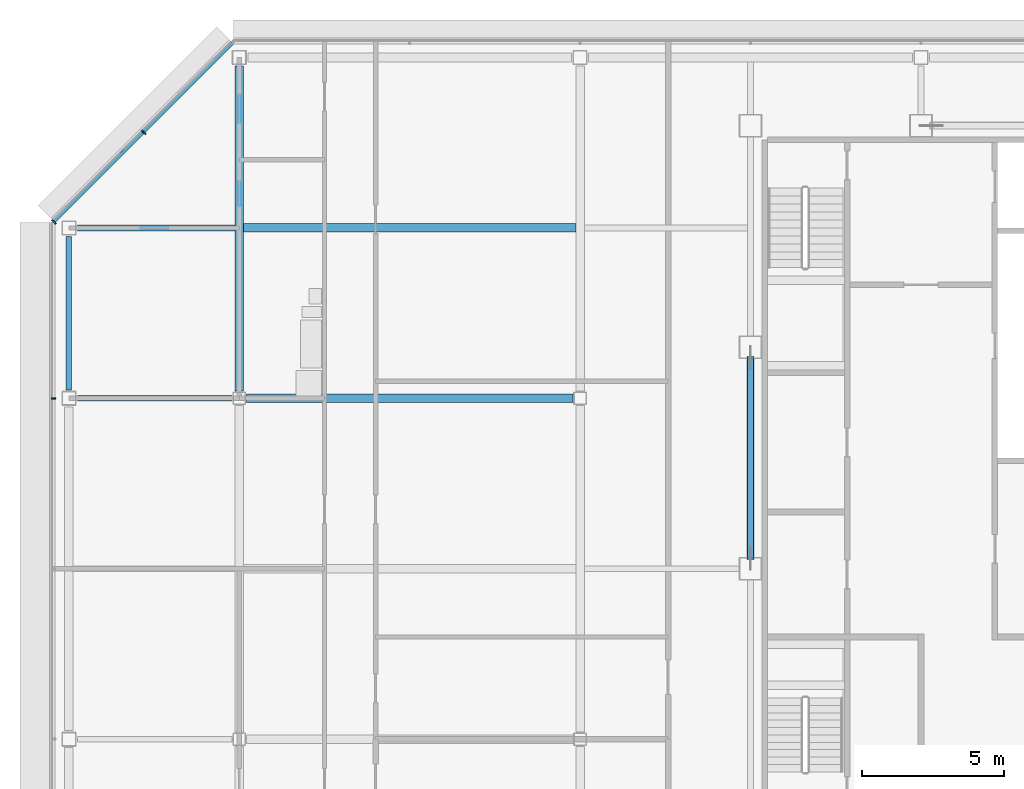
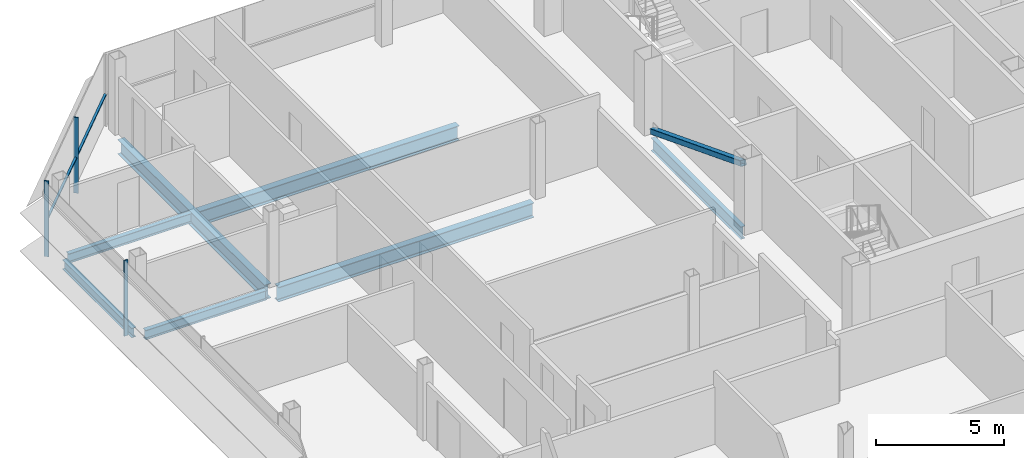
# One storey, part 13 of 28: 7 beams, 5 members, 2 elements without a shape of their own.
"""IFC4 building model written with IfcOpenShell, lengths in metres."""

from ifc_helpers import new_model, si_unit, direction, frame, origin, origin_2d, place, context, subcontext, project, spatial, rectangle, hollow_rectangle, i_section, extrude, material, material_profile, profile_set, type_object, element, aggregate, save


model = new_model("IFC4")

# Units and contexts
model_context = context("Model", 3, precision=1e-05, world=origin(), true_north=direction((0.0, 1.0)))
body_context = subcontext(model_context, "Body", "Model", "MODEL_VIEW")
ifc_project = project(units=[si_unit("LENGTHUNIT", "METRE"), si_unit("AREAUNIT", "SQUARE_METRE"), si_unit("VOLUMEUNIT", "CUBIC_METRE"), si_unit("PLANEANGLEUNIT", "RADIAN"), si_unit("MASSUNIT", "GRAM", prefix="KILO")], contexts=[model_context])

# Site, building, storey
site_placement = place(None, origin())
site = spatial("IfcSite", under=ifc_project, at=site_placement, CompositionType="ELEMENT")
building_placement = place(site_placement, origin())
building = spatial("IfcBuilding", under=site, at=building_placement, Name="Sorahane Residences", CompositionType="ELEMENT")
storey_placement = place(building_placement, frame((0.0, 0.0, 301.60009765625)))
storey = spatial("IfcBuildingStorey", under=building, at=storey_placement, Name="L71", CompositionType="ELEMENT", Elevation=301.60009765625)

# Member
ifc_material_1 = material(Name="Steel Q355B", Category="steel")
ifc_material_profile_1 = material_profile(ifc_material_1, hollow_rectangle(XDim=0.25, YDim=0.25, WallThickness=0.011962890625, InnerFilletRadius=0.006103515625, OuterFilletRadius=0.01806640625, at=origin_2d()), Name="RHS 250x250x12")
ifc_profile_set_1 = profile_set([ifc_material_profile_1], Name="Steel Q355B")
member_type_1 = type_object("IfcMemberType", Name="Core brace RHS 250x250x12 Q355B", PredefinedType="BRACE", material=ifc_profile_set_1)
member_1_placement = place(storey_placement, frame((6.0, 37.42724609375, 0.1142578125), z_axis=(0.0, -0.932102104456, 0.362195619617), x_axis=(1.0, 0.0, 0.0)))
element("IfcMember", 1, at=member_1_placement, inside=storey, type_object=member_type_1, Name="Core brace L71 x6-2", PredefinedType="BRACE", context=body_context, shape_type="SweptSolid", body=[
    extrude(hollow_rectangle(XDim=0.25, YDim=0.25, WallThickness=0.011962890625, InnerFilletRadius=0.006103515625, OuterFilletRadius=0.01806640625, at=origin_2d()), origin(), (0.0, 0.0, 1.0), 7.568359375),
])

# Curtain wall, member
ifc_material_2 = material(Name="Dark low-e glass and black anodised aluminium", Category="aluminium")
curtain_wall_type_1 = type_object("IfcCurtainWallType", Name="Curtain wall CW-1 Typical unitised wall", PredefinedType="NOTDEFINED", material=ifc_material_2)
curtain_wall_1_placement = place(storey_placement, origin())
curtain_wall_1 = element("IfcCurtainWall", 2, at=curtain_wall_1_placement, inside=storey, type_object=curtain_wall_type_1, Name="CW-1 curtain wall L71 W1", PredefinedType="NOTDEFINED")
ifc_material_3 = material(Name="Black anodised aluminium", Category="aluminium")
ifc_material_profile_2 = material_profile(ifc_material_3, rectangle(XDim=0.159912109375, YDim=0.050048828125, at=origin_2d()), Name="Curtain wall mullion CW-1 black anodised aluminium 50x160")
ifc_profile_set_2 = profile_set([ifc_material_profile_2], Name="Black anodised aluminium")
member_type_2 = type_object("IfcMemberType", Name="Curtain wall mullion CW-1 black anodised aluminium 50x160", PredefinedType="MULLION", material=ifc_profile_set_2)
member_2_placement = place(storey_placement, frame((-18.5400390625, 36.0, -0.18017578125), z_axis=(0.0, 0.0, 1.0), x_axis=(-1.0, 0.0, 0.0)))
member_2 = element("IfcMember", 3, at=member_2_placement, type_object=member_type_2, Name="CW-1 mullion L71 W1.2", PredefinedType="MULLION", context=body_context, shape_type="SweptSolid", body=[
    extrude(rectangle(XDim=0.159912109375, YDim=0.050048828125, at=origin_2d()), origin(), (0.0, 0.0, 1.0), 3.60009765625),
])
aggregate(curtain_wall_1, [member_2])

# Curtain wall, members
ifc_material_4 = material(Name="Dark low-e glass and black anodised aluminium", Category="aluminium")
curtain_wall_type_2 = type_object("IfcCurtainWallType", Name="Curtain wall CW-2 Chamfer unitised wall", PredefinedType="NOTDEFINED", material=ifc_material_4)
curtain_wall_2_placement = place(storey_placement, origin())
curtain_wall_2 = element("IfcCurtainWall", 4, at=curtain_wall_2_placement, inside=storey, type_object=curtain_wall_type_2, Name="CW-2 curtain wall L71 NW1", PredefinedType="NOTDEFINED")
ifc_material_5 = material(Name="Black anodised aluminium", Category="aluminium")
ifc_material_profile_3 = material_profile(ifc_material_5, rectangle(XDim=0.199951171875, YDim=0.050048828125, at=origin_2d()), Name="Curtain wall mullion CW-2 black anodised aluminium 50x200")
ifc_profile_set_3 = profile_set([ifc_material_profile_3], Name="Black anodised aluminium")
member_type_3 = type_object("IfcMemberType", Name="Curtain wall mullion CW-2 black anodised aluminium 50x200", PredefinedType="MULLION", material=ifc_profile_set_3)
member_3_placement = place(storey_placement, frame((-15.36767578125, 45.36767578125, -0.18017578125), z_axis=(0.0, 0.0, 1.0), x_axis=(-0.707106781187, 0.707106781187, 0.0)))
member_3 = element("IfcMember", 5, at=member_3_placement, type_object=member_type_3, Name="CW-2 mullion L71 NW1.2", PredefinedType="MULLION", context=body_context, shape_type="SweptSolid", body=[
    extrude(rectangle(XDim=0.199951171875, YDim=0.050048828125, at=origin_2d()), origin(), (0.0, 0.0, 1.0), 3.60009765625),
])
member_4_placement = place(storey_placement, frame((-18.525634765625, 42.209716796875, -0.18017578125), z_axis=(0.0, 0.0, 1.0), x_axis=(-0.707106781187, 0.707106781187, 0.0)))
member_4 = element("IfcMember", 6, at=member_4_placement, type_object=member_type_3, Name="CW-2 mullion L71 NW1.3", PredefinedType="MULLION", context=body_context, shape_type="SweptSolid", body=[
    extrude(rectangle(XDim=0.199951171875, YDim=0.050048828125, at=origin_2d()), origin(), (0.0, 0.0, 1.0), 3.60009765625),
])
ifc_material_6 = material(Name="Black anodised aluminium", Category="aluminium")
ifc_material_profile_4 = material_profile(ifc_material_6, rectangle(XDim=0.10009765625, YDim=0.06005859375, at=origin_2d()), Name="Curtain wall transom CW-2 black anodised aluminium 60x100")
ifc_profile_set_4 = profile_set([ifc_material_profile_4], Name="Black anodised aluminium")
member_type_4 = type_object("IfcMemberType", Name="Curtain wall transom CW-2 black anodised aluminium 60x100", PredefinedType="USERDEFINED", material=ifc_profile_set_4)
member_5_placement = place(storey_placement, frame((-12.234375, 48.51513671875, 1.5), z_axis=(-0.707106781187, -0.707106781187, 0.0), x_axis=(0.707106781187, -0.707106781187, 0.0)))
member_5 = element("IfcMember", 7, at=member_5_placement, type_object=member_type_4, Name="CW-2 transom L71 NW1", ObjectType="TRANSOM", PredefinedType="USERDEFINED", context=body_context, shape_type="SweptSolid", body=[
    extrude(rectangle(XDim=0.10009765625, YDim=0.06005859375, at=origin_2d()), origin(), (0.0, 0.0, 1.0), 8.88232421875),
])
aggregate(curtain_wall_2, [member_3, member_4, member_5])

# Beams
ifc_material_7 = material(Name="Steel Q355B", Category="steel")
ifc_material_profile_5 = material_profile(ifc_material_7, i_section(OverallWidth=0.199951171875, OverallDepth=0.449951171875, WebThickness=0.009033203125, FlangeThickness=0.013916015625, FilletRadius=0.02001953125, at=origin_2d()), Name="HN 450x200x9x14")
ifc_profile_set_5 = profile_set([ifc_material_profile_5], Name="Steel Q355B")
beam_type_1 = type_object("IfcBeamType", Name="Steel floor beam HN 450x200x9x14 Q355B", PredefinedType="BEAM", material=ifc_profile_set_5)
beam_1_placement = place(storey_placement, frame((-17.699951171875, 36.0, -0.405029296875), z_axis=(1.0, 0.0, 0.0), x_axis=(0.0, 1.0, 0.0)))
element("IfcBeam", 8, at=beam_1_placement, inside=storey, type_object=beam_type_1, Name="Beam L71 013", PredefinedType="BEAM", context=body_context, shape_type="SweptSolid", body=[
    extrude(i_section(OverallWidth=0.199951171875, OverallDepth=0.449951171875, WebThickness=0.009033203125, FlangeThickness=0.013916015625, FilletRadius=0.02001953125, at=origin_2d()), origin(), (0.0, 0.0, 1.0), 5.449951171875),
])
beam_2_placement = place(storey_placement, frame((-18.0, 36.300048828125, -0.405029296875), z_axis=(0.0, 1.0, 0.0), x_axis=(-1.0, 0.0, 0.0)))
element("IfcBeam", 9, at=beam_2_placement, inside=storey, type_object=beam_type_1, Name="Beam L71 023", PredefinedType="BEAM", context=body_context, shape_type="SweptSolid", body=[
    extrude(i_section(OverallWidth=0.199951171875, OverallDepth=0.449951171875, WebThickness=0.009033203125, FlangeThickness=0.013916015625, FilletRadius=0.02001953125, at=origin_2d()), origin(), (0.0, 0.0, 1.0), 5.39990234375),
])
beam_3_placement = place(storey_placement, frame((-17.699951171875, 42.0, -0.405029296875), z_axis=(1.0, 0.0, 0.0), x_axis=(0.0, 1.0, 0.0)))
element("IfcBeam", 10, at=beam_3_placement, inside=storey, type_object=beam_type_1, Name="Beam L71 087", PredefinedType="BEAM", context=body_context, shape_type="SweptSolid", body=[
    extrude(i_section(OverallWidth=0.199951171875, OverallDepth=0.449951171875, WebThickness=0.009033203125, FlangeThickness=0.013916015625, FilletRadius=0.02001953125, at=origin_2d()), origin(), (0.0, 0.0, 1.0), 5.550048828125),
])
ifc_material_8 = material(Name="Steel Q355B", Category="steel")
ifc_material_profile_6 = material_profile(ifc_material_8, i_section(OverallWidth=0.199951171875, OverallDepth=0.60009765625, WebThickness=0.010986328125, FlangeThickness=0.01708984375, FilletRadius=0.02392578125, at=origin_2d()), Name="HN 600x200x11x17")
ifc_profile_set_6 = profile_set([ifc_material_profile_6], Name="Steel Q355B")
beam_type_2 = type_object("IfcBeamType", Name="Steel floor beam HN 600x200x11x17 Q355B", PredefinedType="BEAM", material=ifc_profile_set_6)
beam_4_placement = place(storey_placement, frame((6.0, 30.39990234375, -0.47998046875), z_axis=(0.0, 1.0, 0.0), x_axis=(-1.0, 0.0, 0.0)))
element("IfcBeam", 11, at=beam_4_placement, inside=storey, type_object=beam_type_2, Name="Beam L71 035", PredefinedType="BEAM", context=body_context, shape_type="SweptSolid", body=[
    extrude(i_section(OverallWidth=0.199951171875, OverallDepth=0.60009765625, WebThickness=0.010986328125, FlangeThickness=0.01708984375, FilletRadius=0.02392578125, at=origin_2d()), origin(), (0.0, 0.0, 1.0), 7.0),
])
ifc_material_9 = material(Name="Steel Q355B", Category="steel")
ifc_material_profile_7 = material_profile(ifc_material_9, i_section(OverallWidth=0.300048828125, OverallDepth=0.699951171875, WebThickness=0.012939453125, FlangeThickness=0.02392578125, FilletRadius=0.028076171875, at=origin_2d()), Name="HN 700x300x13x24")
ifc_profile_set_7 = profile_set([ifc_material_profile_7], Name="Steel Q355B")
beam_type_3 = type_object("IfcBeamType", Name="Steel floor beam HN 700x300x13x24 Q355B", PredefinedType="BEAM", material=ifc_profile_set_7)
beam_5_placement = place(storey_placement, frame((-11.75, 36.0, -0.530029296875), z_axis=(1.0, 0.0, 0.0), x_axis=(0.0, 1.0, 0.0)))
element("IfcBeam", 12, at=beam_5_placement, inside=storey, type_object=beam_type_3, Name="Beam L71 014", PredefinedType="BEAM", context=body_context, shape_type="SweptSolid", body=[
    extrude(i_section(OverallWidth=0.300048828125, OverallDepth=0.699951171875, WebThickness=0.012939453125, FlangeThickness=0.02392578125, FilletRadius=0.028076171875, at=origin_2d()), origin(), (0.0, 0.0, 1.0), 11.5),
])
beam_6_placement = place(storey_placement, frame((-12.0, 36.25, -0.530029296875), z_axis=(0.0, 1.0, 0.0), x_axis=(-1.0, 0.0, 0.0)))
element("IfcBeam", 13, at=beam_6_placement, inside=storey, type_object=beam_type_3, Name="Beam L71 027", PredefinedType="BEAM", context=body_context, shape_type="SweptSolid", body=[
    extrude(i_section(OverallWidth=0.300048828125, OverallDepth=0.699951171875, WebThickness=0.012939453125, FlangeThickness=0.02392578125, FilletRadius=0.028076171875, at=origin_2d()), origin(), (0.0, 0.0, 1.0), 11.449951171875),
])
beam_7_placement = place(storey_placement, frame((-11.85009765625, 42.0, -0.530029296875), z_axis=(1.0, 0.0, 0.0), x_axis=(0.0, 1.0, 0.0)))
element("IfcBeam", 14, at=beam_7_placement, inside=storey, type_object=beam_type_3, Name="Beam L71 088", PredefinedType="BEAM", context=body_context, shape_type="SweptSolid", body=[
    extrude(i_section(OverallWidth=0.300048828125, OverallDepth=0.699951171875, WebThickness=0.012939453125, FlangeThickness=0.02392578125, FilletRadius=0.028076171875, at=origin_2d()), origin(), (0.0, 0.0, 1.0), 11.7001953125),
])

save(model, "model.ifc")
